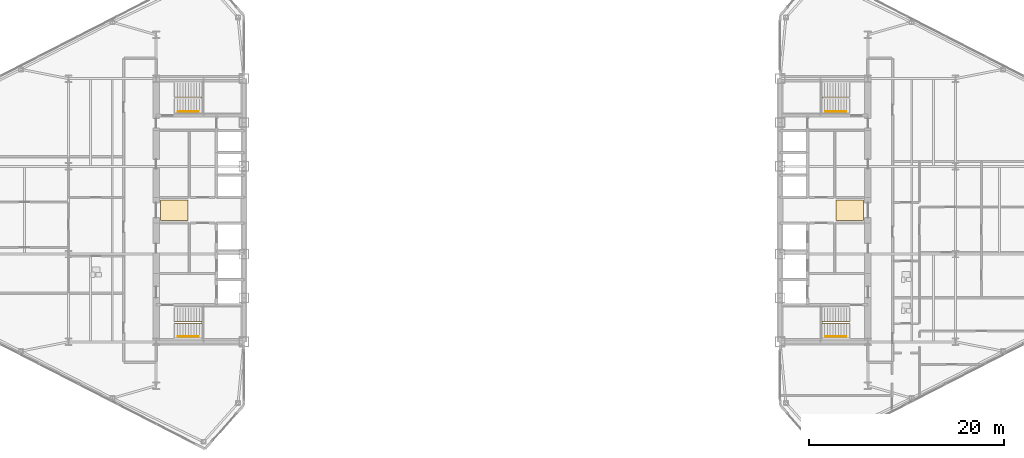
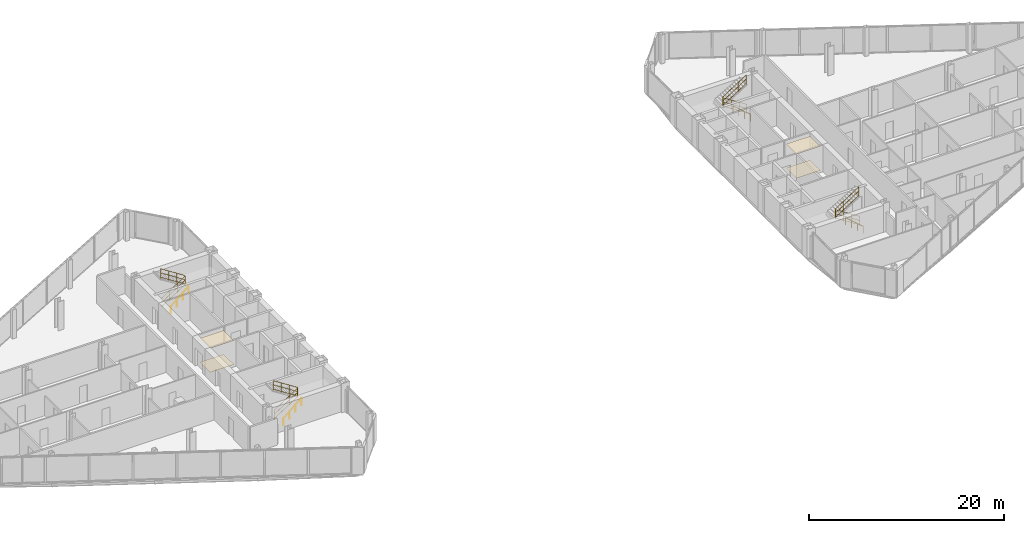
# One storey, part 22 of 23: 8 railings, 4 coverings.
"""IFC4 building model written with IfcOpenShell, lengths in metres."""

from ifc_helpers import new_model, si_unit, direction, frame, origin, origin_2d, place, context, subcontext, project, spatial, polyline, circle, outline, extrude, material, layer, layer_set, type_object, element, save


model = new_model("IFC4")

# Units and contexts
model_context = context("Model", 3, precision=1e-05, world=origin(), true_north=direction((0.0, 1.0)))
body_context = subcontext(model_context, "Body", "Model", "MODEL_VIEW")
ifc_project = project(units=[si_unit("LENGTHUNIT", "METRE"), si_unit("AREAUNIT", "SQUARE_METRE"), si_unit("VOLUMEUNIT", "CUBIC_METRE"), si_unit("PLANEANGLEUNIT", "RADIAN"), si_unit("MASSUNIT", "GRAM", prefix="KILO")], contexts=[model_context])

# Site, building, storey
site_placement = place(None, origin())
site = spatial("IfcSite", under=ifc_project, at=site_placement, CompositionType="ELEMENT")
building_placement = place(site_placement, origin())
building = spatial("IfcBuilding", under=site, at=building_placement, Name="Seokmaru Belvedere", CompositionType="ELEMENT")
storey_placement = place(building_placement, frame((0.0, 0.0, 132.0)))
storey = spatial("IfcBuildingStorey", under=building, at=storey_placement, Name="L35", CompositionType="ELEMENT", Elevation=132.0)

# Coverings
ifc_material_1 = material(Name="Engineered White Oak Timber", Category="wood")
ifc_layer_1 = layer(ifc_material_1, 0.02197265625)
ifc_layer_set_1 = layer_set([ifc_layer_1], Name="Engineered White Oak Timber")
covering_type_1 = type_object("IfcCoveringType", Name="Engineered Oak Residence Floor Finish 22", PredefinedType="FLOORING", material=ifc_layer_set_1)
covering_1_placement = place(storey_placement, origin())
element("IfcCovering", 1, at=covering_1_placement, inside=storey, type_object=covering_type_1, Name="L35 W Foyer Floor Finish", PredefinedType="FLOORING", context=body_context, shape_type="SweptSolid", body=[
    extrude(outline(polyline([(-36.050048828125, -1.050048828125), (-33.25, -1.050048828125), (-33.25, 1.050048828125), (-36.050048828125, 1.050048828125), (-36.050048828125, -1.050048828125)])), origin(), (0.0, 0.0, 1.0), 0.02197265625),
])
covering_2_placement = place(storey_placement, origin())
element("IfcCovering", 2, at=covering_2_placement, inside=storey, type_object=covering_type_1, Name="L35 E Foyer Floor Finish", PredefinedType="FLOORING", context=body_context, shape_type="SweptSolid", body=[
    extrude(outline(polyline([(33.25, -1.050048828125), (36.050048828125, -1.050048828125), (36.050048828125, 1.050048828125), (33.25, 1.050048828125), (33.25, -1.050048828125)])), origin(), (0.0, 0.0, 1.0), 0.02197265625),
])
ifc_material_2 = material(Name="Fire-Rated Gypsum Shaftwall")
ifc_layer_2 = layer(ifc_material_2, 0.02490234375)
ifc_layer_set_2 = layer_set([ifc_layer_2], Name="Fire-Rated Gypsum Shaftwall")
covering_type_2 = type_object("IfcCoveringType", Name="Perforated Acoustic Gypsum Suspended Ceiling 25", PredefinedType="CEILING", material=ifc_layer_set_2)
covering_3_placement = place(storey_placement, frame((0.0, 0.0, 2.989990234375)))
element("IfcCovering", 3, at=covering_3_placement, inside=storey, type_object=covering_type_2, Name="L35 W Lift Foyer Acoustic Ceiling", PredefinedType="CEILING", context=body_context, shape_type="SweptSolid", body=[
    extrude(outline(polyline([(-36.050048828125, -1.050048828125), (-33.25, -1.050048828125), (-33.25, 1.050048828125), (-36.050048828125, 1.050048828125), (-36.050048828125, -1.050048828125)])), origin(), (0.0, 0.0, 1.0), 0.02490234375),
])
covering_4_placement = place(storey_placement, frame((0.0, 0.0, 2.989990234375)))
element("IfcCovering", 4, at=covering_4_placement, inside=storey, type_object=covering_type_2, Name="L35 E Lift Foyer Acoustic Ceiling", PredefinedType="CEILING", context=body_context, shape_type="SweptSolid", body=[
    extrude(outline(polyline([(33.25, -1.050048828125), (36.050048828125, -1.050048828125), (36.050048828125, 1.050048828125), (33.25, 1.050048828125), (33.25, -1.050048828125)])), origin(), (0.0, 0.0, 1.0), 0.02490234375),
])

# Railings
ifc_material_3 = material(Name="Stainless Steel 316", Category="steel")
railing_type_1 = type_object("IfcRailingType", Name="Stainless Steel Wall and Flight Handrail 900", PredefinedType="HANDRAIL", material=ifc_material_3)
for number, where, name in (
    (5, (-34.25, -12.949951171875, 0.0), "L35 Stair ST-W1 Wall Handrail"),
    (6, (-34.25, 10.110107421875, 0.0), "L35 Stair ST-W2 Wall Handrail"),
):
    element("IfcRailing", number, at=place(storey_placement, frame(where)), inside=storey, type_object=railing_type_1, Name=name, PredefinedType="HANDRAIL", context=body_context, shape_type="SweptSolid", body=[
        extrude(circle(Radius=0.02392578125, at=origin_2d()), frame((0.0, 0.0, 0.8759765625), z_axis=(0.759262832861, 0.0, 0.650784104474), x_axis=(0.0, 1.0, 0.0)), (0.0, 0.0, 1.0), 2.765869140625),
        extrude(circle(Radius=0.02099609375, at=origin_2d()), origin(), (0.0, 0.0, 1.0), 0.851806640625),
        extrude(circle(Radius=0.02099609375, at=origin_2d()), frame((0.699951171875, 0.0, 0.60009765625)), (0.0, 0.0, 1.0), 0.851806640625),
        extrude(circle(Radius=0.02099609375, at=origin_2d()), frame((1.400146484375, 0.0, 1.199951171875)), (0.0, 0.0, 1.0), 0.851806640625),
        extrude(circle(Radius=0.02099609375, at=origin_2d()), frame((2.10009765625, 0.0, 1.800048828125)), (0.0, 0.0, 1.0), 0.851806640625),
    ])
for number, where, name in (
    (7, (34.25, -12.949951171875, 0.0), "L35 Stair ST-E1 Wall Handrail"),
    (8, (34.25, 10.110107421875, 0.0), "L35 Stair ST-E2 Wall Handrail"),
):
    element("IfcRailing", number, at=place(storey_placement, frame(where)), inside=storey, type_object=railing_type_1, Name=name, PredefinedType="HANDRAIL", context=body_context, shape_type="SweptSolid", body=[
        extrude(circle(Radius=0.02392578125, at=origin_2d()), frame((0.0, 0.0, 0.8759765625), z_axis=(-0.759262832861, 0.0, 0.650784104474), x_axis=(0.0, -1.0, 0.0)), (0.0, 0.0, 1.0), 2.765869140625),
        extrude(circle(Radius=0.02099609375, at=origin_2d()), origin(), (0.0, 0.0, 1.0), 0.851806640625),
        extrude(circle(Radius=0.02099609375, at=origin_2d()), frame((-0.699951171875, 0.0, 0.60009765625)), (0.0, 0.0, 1.0), 0.851806640625),
        extrude(circle(Radius=0.02099609375, at=origin_2d()), frame((-1.400146484375, 0.0, 1.199951171875)), (0.0, 0.0, 1.0), 0.851806640625),
        extrude(circle(Radius=0.02099609375, at=origin_2d()), frame((-2.10009765625, 0.0, 1.800048828125)), (0.0, 0.0, 1.0), 0.851806640625),
    ])
railing_type_2 = type_object("IfcRailingType", Name="Stair Well and Atrium Steel Guardrail 1200", PredefinedType="GUARDRAIL", material=ifc_material_3)
railing_1_placement = place(storey_placement, frame((-34.60009765625, -11.60009765625, 0.0)))
element("IfcRailing", 9, at=railing_1_placement, inside=storey, type_object=railing_type_2, Name="L35 Stair ST-W1 Inner Well Guardrail", PredefinedType="GUARDRAIL", context=body_context, shape_type="SweptSolid", body=[
    extrude(circle(Radius=0.02392578125, at=origin_2d()), frame((0.0, 0.0, 1.17578125), z_axis=(0.841176092368, 0.0, 0.540761298198), x_axis=(0.0, 1.0, 0.0)), (0.0, 0.0, 1.0), 3.32861328125),
    extrude(circle(Radius=0.02392578125, at=origin_2d()), frame((0.0, 0.0, 0.1201171875), z_axis=(0.841176092368, 0.0, 0.540761298198), x_axis=(0.0, 1.0, 0.0)), (0.0, 0.0, 1.0), 3.32861328125),
    extrude(circle(Radius=0.02392578125, at=origin_2d()), frame((0.0, 0.0, 0.659912109375), z_axis=(0.841176092368, 0.0, 0.540761298198), x_axis=(0.0, 1.0, 0.0)), (0.0, 0.0, 1.0), 3.32861328125),
    extrude(circle(Radius=0.02392578125, at=origin_2d()), frame((2.800048828125, 0.0, 2.97607421875), z_axis=(0.0, 1.0, 0.0), x_axis=(-1.0, 0.0, 0.0)), (0.0, 0.0, 1.0), 0.14013671875),
    extrude(circle(Radius=0.02392578125, at=origin_2d()), frame((2.800048828125, 0.0, 1.920166015625), z_axis=(0.0, 1.0, 0.0), x_axis=(-1.0, 0.0, 0.0)), (0.0, 0.0, 1.0), 0.14013671875),
    extrude(circle(Radius=0.02392578125, at=origin_2d()), frame((2.800048828125, 0.0, 2.4599609375), z_axis=(0.0, 1.0, 0.0), x_axis=(-1.0, 0.0, 0.0)), (0.0, 0.0, 1.0), 0.14013671875),
    extrude(circle(Radius=0.02392578125, at=origin_2d()), frame((2.800048828125, 0.14013671875, 2.97607421875), z_axis=(-0.841176092368, 0.0, 0.540761298198), x_axis=(0.0, -1.0, 0.0)), (0.0, 0.0, 1.0), 3.32861328125),
    extrude(circle(Radius=0.02392578125, at=origin_2d()), frame((2.800048828125, 0.14013671875, 1.920166015625), z_axis=(-0.841176092368, 0.0, 0.540761298198), x_axis=(0.0, -1.0, 0.0)), (0.0, 0.0, 1.0), 3.32861328125),
    extrude(circle(Radius=0.02392578125, at=origin_2d()), frame((2.800048828125, 0.14013671875, 2.4599609375), z_axis=(-0.841176092368, 0.0, 0.540761298198), x_axis=(0.0, -1.0, 0.0)), (0.0, 0.0, 1.0), 3.32861328125),
    extrude(circle(Radius=0.02099609375, at=origin_2d()), origin(), (0.0, 0.0, 1.0), 1.15185546875),
    extrude(circle(Radius=0.02099609375, at=origin_2d()), frame((0.933349609375, 0.0, 0.60009765625)), (0.0, 0.0, 1.0), 1.15185546875),
    extrude(circle(Radius=0.02099609375, at=origin_2d()), frame((1.86669921875, 0.0, 1.199951171875)), (0.0, 0.0, 1.0), 1.15185546875),
    extrude(circle(Radius=0.02099609375, at=origin_2d()), frame((2.800048828125, 0.0, 1.800048828125)), (0.0, 0.0, 1.0), 1.15185546875),
    extrude(circle(Radius=0.02099609375, at=origin_2d()), frame((2.800048828125, 0.14013671875, 1.800048828125)), (0.0, 0.0, 1.0), 1.15185546875),
    extrude(circle(Radius=0.02099609375, at=origin_2d()), frame((1.86669921875, 0.14013671875, 2.400146484375)), (0.0, 0.0, 1.0), 1.15185546875),
    extrude(circle(Radius=0.02099609375, at=origin_2d()), frame((0.933349609375, 0.14013671875, 3.0)), (0.0, 0.0, 1.0), 1.15185546875),
    extrude(circle(Radius=0.02099609375, at=origin_2d()), frame((0.0, 0.14013671875, 3.60009765625)), (0.0, 0.0, 1.0), 1.15185546875),
])
railing_2_placement = place(storey_placement, frame((-34.60009765625, 11.4599609375, 0.0)))
element("IfcRailing", 10, at=railing_2_placement, inside=storey, type_object=railing_type_2, Name="L35 Stair ST-W2 Inner Well Guardrail", PredefinedType="GUARDRAIL", context=body_context, shape_type="SweptSolid", body=[
    extrude(circle(Radius=0.02392578125, at=origin_2d()), frame((0.0, 0.0, 1.17578125), z_axis=(0.841176092368, 0.0, 0.540761298198), x_axis=(0.0, 1.0, 0.0)), (0.0, 0.0, 1.0), 3.32861328125),
    extrude(circle(Radius=0.02392578125, at=origin_2d()), frame((0.0, 0.0, 0.1201171875), z_axis=(0.841176092368, 0.0, 0.540761298198), x_axis=(0.0, 1.0, 0.0)), (0.0, 0.0, 1.0), 3.32861328125),
    extrude(circle(Radius=0.02392578125, at=origin_2d()), frame((0.0, 0.0, 0.659912109375), z_axis=(0.841176092368, 0.0, 0.540761298198), x_axis=(0.0, 1.0, 0.0)), (0.0, 0.0, 1.0), 3.32861328125),
    extrude(circle(Radius=0.02392578125, at=origin_2d()), frame((2.800048828125, 0.0, 2.97607421875), z_axis=(0.0, 1.0, 0.0), x_axis=(-1.0, 0.0, 0.0)), (0.0, 0.0, 1.0), 0.14013671875),
    extrude(circle(Radius=0.02392578125, at=origin_2d()), frame((2.800048828125, 0.0, 1.920166015625), z_axis=(0.0, 1.0, 0.0), x_axis=(-1.0, 0.0, 0.0)), (0.0, 0.0, 1.0), 0.14013671875),
    extrude(circle(Radius=0.02392578125, at=origin_2d()), frame((2.800048828125, 0.0, 2.4599609375), z_axis=(0.0, 1.0, 0.0), x_axis=(-1.0, 0.0, 0.0)), (0.0, 0.0, 1.0), 0.14013671875),
    extrude(circle(Radius=0.02392578125, at=origin_2d()), frame((2.800048828125, 0.14013671875, 2.97607421875), z_axis=(-0.841176092368, 0.0, 0.540761298198), x_axis=(0.0, -1.0, 0.0)), (0.0, 0.0, 1.0), 3.32861328125),
    extrude(circle(Radius=0.02392578125, at=origin_2d()), frame((2.800048828125, 0.14013671875, 1.920166015625), z_axis=(-0.841176092368, 0.0, 0.540761298198), x_axis=(0.0, -1.0, 0.0)), (0.0, 0.0, 1.0), 3.32861328125),
    extrude(circle(Radius=0.02392578125, at=origin_2d()), frame((2.800048828125, 0.14013671875, 2.4599609375), z_axis=(-0.841176092368, 0.0, 0.540761298198), x_axis=(0.0, -1.0, 0.0)), (0.0, 0.0, 1.0), 3.32861328125),
    extrude(circle(Radius=0.02099609375, at=origin_2d()), origin(), (0.0, 0.0, 1.0), 1.15185546875),
    extrude(circle(Radius=0.02099609375, at=origin_2d()), frame((0.933349609375, 0.0, 0.60009765625)), (0.0, 0.0, 1.0), 1.15185546875),
    extrude(circle(Radius=0.02099609375, at=origin_2d()), frame((1.86669921875, 0.0, 1.199951171875)), (0.0, 0.0, 1.0), 1.15185546875),
    extrude(circle(Radius=0.02099609375, at=origin_2d()), frame((2.800048828125, 0.0, 1.800048828125)), (0.0, 0.0, 1.0), 1.15185546875),
    extrude(circle(Radius=0.02099609375, at=origin_2d()), frame((2.800048828125, 0.14013671875, 1.800048828125)), (0.0, 0.0, 1.0), 1.15185546875),
    extrude(circle(Radius=0.02099609375, at=origin_2d()), frame((1.86669921875, 0.14013671875, 2.400146484375)), (0.0, 0.0, 1.0), 1.15185546875),
    extrude(circle(Radius=0.02099609375, at=origin_2d()), frame((0.933349609375, 0.14013671875, 3.0)), (0.0, 0.0, 1.0), 1.15185546875),
    extrude(circle(Radius=0.02099609375, at=origin_2d()), frame((0.0, 0.14013671875, 3.60009765625)), (0.0, 0.0, 1.0), 1.15185546875),
])
railing_3_placement = place(storey_placement, frame((34.60009765625, -11.60009765625, 0.0)))
element("IfcRailing", 11, at=railing_3_placement, inside=storey, type_object=railing_type_2, Name="L35 Stair ST-E1 Inner Well Guardrail", PredefinedType="GUARDRAIL", context=body_context, shape_type="SweptSolid", body=[
    extrude(circle(Radius=0.02392578125, at=origin_2d()), frame((0.0, 0.0, 1.17578125), z_axis=(-0.841176092368, 0.0, 0.540761298198), x_axis=(0.0, -1.0, 0.0)), (0.0, 0.0, 1.0), 3.32861328125),
    extrude(circle(Radius=0.02392578125, at=origin_2d()), frame((0.0, 0.0, 0.1201171875), z_axis=(-0.841176092368, 0.0, 0.540761298198), x_axis=(0.0, -1.0, 0.0)), (0.0, 0.0, 1.0), 3.32861328125),
    extrude(circle(Radius=0.02392578125, at=origin_2d()), frame((0.0, 0.0, 0.659912109375), z_axis=(-0.841176092368, 0.0, 0.540761298198), x_axis=(0.0, -1.0, 0.0)), (0.0, 0.0, 1.0), 3.32861328125),
    extrude(circle(Radius=0.02392578125, at=origin_2d()), frame((-2.800048828125, 0.0, 2.97607421875), z_axis=(0.0, 1.0, 0.0), x_axis=(-1.0, 0.0, 0.0)), (0.0, 0.0, 1.0), 0.14013671875),
    extrude(circle(Radius=0.02392578125, at=origin_2d()), frame((-2.800048828125, 0.0, 1.920166015625), z_axis=(0.0, 1.0, 0.0), x_axis=(-1.0, 0.0, 0.0)), (0.0, 0.0, 1.0), 0.14013671875),
    extrude(circle(Radius=0.02392578125, at=origin_2d()), frame((-2.800048828125, 0.0, 2.4599609375), z_axis=(0.0, 1.0, 0.0), x_axis=(-1.0, 0.0, 0.0)), (0.0, 0.0, 1.0), 0.14013671875),
    extrude(circle(Radius=0.02392578125, at=origin_2d()), frame((-2.800048828125, 0.14013671875, 2.97607421875), z_axis=(0.841176092368, 0.0, 0.540761298198), x_axis=(0.0, 1.0, 0.0)), (0.0, 0.0, 1.0), 3.32861328125),
    extrude(circle(Radius=0.02392578125, at=origin_2d()), frame((-2.800048828125, 0.14013671875, 1.920166015625), z_axis=(0.841176092368, 0.0, 0.540761298198), x_axis=(0.0, 1.0, 0.0)), (0.0, 0.0, 1.0), 3.32861328125),
    extrude(circle(Radius=0.02392578125, at=origin_2d()), frame((-2.800048828125, 0.14013671875, 2.4599609375), z_axis=(0.841176092368, 0.0, 0.540761298198), x_axis=(0.0, 1.0, 0.0)), (0.0, 0.0, 1.0), 3.32861328125),
    extrude(circle(Radius=0.02099609375, at=origin_2d()), origin(), (0.0, 0.0, 1.0), 1.15185546875),
    extrude(circle(Radius=0.02099609375, at=origin_2d()), frame((-0.933349609375, 0.0, 0.60009765625)), (0.0, 0.0, 1.0), 1.15185546875),
    extrude(circle(Radius=0.02099609375, at=origin_2d()), frame((-1.86669921875, 0.0, 1.199951171875)), (0.0, 0.0, 1.0), 1.15185546875),
    extrude(circle(Radius=0.02099609375, at=origin_2d()), frame((-2.800048828125, 0.0, 1.800048828125)), (0.0, 0.0, 1.0), 1.15185546875),
    extrude(circle(Radius=0.02099609375, at=origin_2d()), frame((-2.800048828125, 0.14013671875, 1.800048828125)), (0.0, 0.0, 1.0), 1.15185546875),
    extrude(circle(Radius=0.02099609375, at=origin_2d()), frame((-1.86669921875, 0.14013671875, 2.400146484375)), (0.0, 0.0, 1.0), 1.15185546875),
    extrude(circle(Radius=0.02099609375, at=origin_2d()), frame((-0.933349609375, 0.14013671875, 3.0)), (0.0, 0.0, 1.0), 1.15185546875),
    extrude(circle(Radius=0.02099609375, at=origin_2d()), frame((0.0, 0.14013671875, 3.60009765625)), (0.0, 0.0, 1.0), 1.15185546875),
])
railing_4_placement = place(storey_placement, frame((34.60009765625, 11.4599609375, 0.0)))
element("IfcRailing", 12, at=railing_4_placement, inside=storey, type_object=railing_type_2, Name="L35 Stair ST-E2 Inner Well Guardrail", PredefinedType="GUARDRAIL", context=body_context, shape_type="SweptSolid", body=[
    extrude(circle(Radius=0.02392578125, at=origin_2d()), frame((0.0, 0.0, 1.17578125), z_axis=(-0.841176092368, 0.0, 0.540761298198), x_axis=(0.0, -1.0, 0.0)), (0.0, 0.0, 1.0), 3.32861328125),
    extrude(circle(Radius=0.02392578125, at=origin_2d()), frame((0.0, 0.0, 0.1201171875), z_axis=(-0.841176092368, 0.0, 0.540761298198), x_axis=(0.0, -1.0, 0.0)), (0.0, 0.0, 1.0), 3.32861328125),
    extrude(circle(Radius=0.02392578125, at=origin_2d()), frame((0.0, 0.0, 0.659912109375), z_axis=(-0.841176092368, 0.0, 0.540761298198), x_axis=(0.0, -1.0, 0.0)), (0.0, 0.0, 1.0), 3.32861328125),
    extrude(circle(Radius=0.02392578125, at=origin_2d()), frame((-2.800048828125, 0.0, 2.97607421875), z_axis=(0.0, 1.0, 0.0), x_axis=(-1.0, 0.0, 0.0)), (0.0, 0.0, 1.0), 0.14013671875),
    extrude(circle(Radius=0.02392578125, at=origin_2d()), frame((-2.800048828125, 0.0, 1.920166015625), z_axis=(0.0, 1.0, 0.0), x_axis=(-1.0, 0.0, 0.0)), (0.0, 0.0, 1.0), 0.14013671875),
    extrude(circle(Radius=0.02392578125, at=origin_2d()), frame((-2.800048828125, 0.0, 2.4599609375), z_axis=(0.0, 1.0, 0.0), x_axis=(-1.0, 0.0, 0.0)), (0.0, 0.0, 1.0), 0.14013671875),
    extrude(circle(Radius=0.02392578125, at=origin_2d()), frame((-2.800048828125, 0.14013671875, 2.97607421875), z_axis=(0.841176092368, 0.0, 0.540761298198), x_axis=(0.0, 1.0, 0.0)), (0.0, 0.0, 1.0), 3.32861328125),
    extrude(circle(Radius=0.02392578125, at=origin_2d()), frame((-2.800048828125, 0.14013671875, 1.920166015625), z_axis=(0.841176092368, 0.0, 0.540761298198), x_axis=(0.0, 1.0, 0.0)), (0.0, 0.0, 1.0), 3.32861328125),
    extrude(circle(Radius=0.02392578125, at=origin_2d()), frame((-2.800048828125, 0.14013671875, 2.4599609375), z_axis=(0.841176092368, 0.0, 0.540761298198), x_axis=(0.0, 1.0, 0.0)), (0.0, 0.0, 1.0), 3.32861328125),
    extrude(circle(Radius=0.02099609375, at=origin_2d()), origin(), (0.0, 0.0, 1.0), 1.15185546875),
    extrude(circle(Radius=0.02099609375, at=origin_2d()), frame((-0.933349609375, 0.0, 0.60009765625)), (0.0, 0.0, 1.0), 1.15185546875),
    extrude(circle(Radius=0.02099609375, at=origin_2d()), frame((-1.86669921875, 0.0, 1.199951171875)), (0.0, 0.0, 1.0), 1.15185546875),
    extrude(circle(Radius=0.02099609375, at=origin_2d()), frame((-2.800048828125, 0.0, 1.800048828125)), (0.0, 0.0, 1.0), 1.15185546875),
    extrude(circle(Radius=0.02099609375, at=origin_2d()), frame((-2.800048828125, 0.14013671875, 1.800048828125)), (0.0, 0.0, 1.0), 1.15185546875),
    extrude(circle(Radius=0.02099609375, at=origin_2d()), frame((-1.86669921875, 0.14013671875, 2.400146484375)), (0.0, 0.0, 1.0), 1.15185546875),
    extrude(circle(Radius=0.02099609375, at=origin_2d()), frame((-0.933349609375, 0.14013671875, 3.0)), (0.0, 0.0, 1.0), 1.15185546875),
    extrude(circle(Radius=0.02099609375, at=origin_2d()), frame((0.0, 0.14013671875, 3.60009765625)), (0.0, 0.0, 1.0), 1.15185546875),
])

save(model, "model.ifc")
